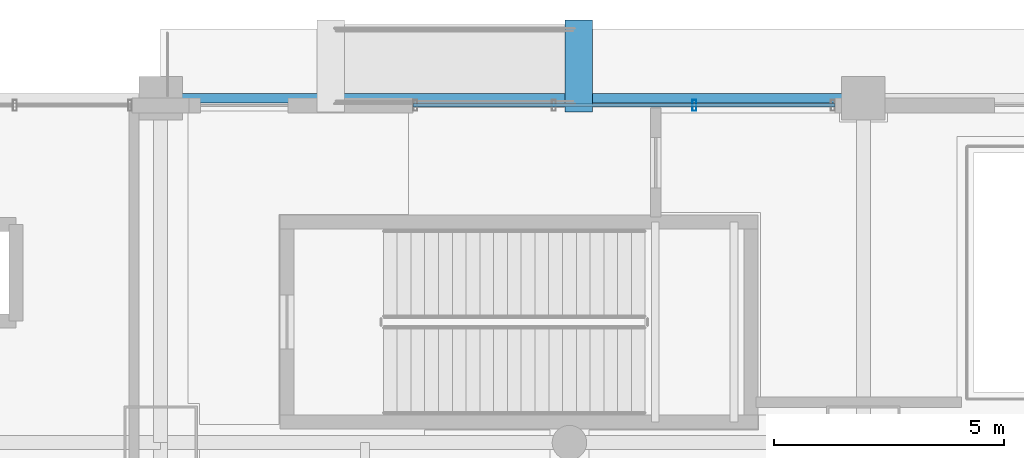
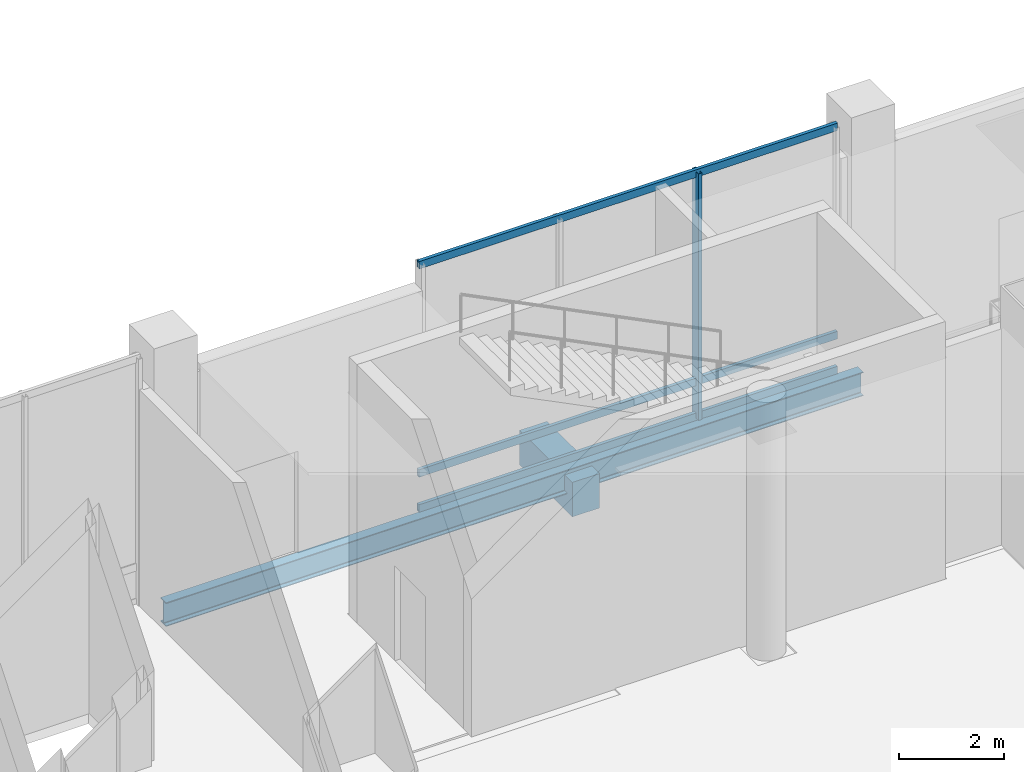
# One storey, part 9 of 32: 4 members, 2 beams, 1 element without a shape of its own.
"""IFC4 building model written with IfcOpenShell, lengths in metres."""

import ifcopenshell
import ifcopenshell.guid

model = None  # the IFC model being written
_history = None  # IfcOwnerHistory: only IFC2X3 demands one
_inside = {}  # id of a spatial element -> (the spatial element, [elements in it])
_under = {}  # id of a project, library or spatial element -> (it, [spatial elements below it])
_declared = {}  # id of a project -> (the project, [libraries it declares])
_typed = {}  # id of a type object -> (the type object, [elements of that type])
_made_of = {}  # id of a material, layer set ... -> (it, [elements and type objects made of it])


def new_model(schema):
    """Start an empty IFC model of exactly this schema.

    Asked for "IFC4X3", IfcOpenShell would pick the latest addendum, in which some entities
    have other attributes; the version numbers below select the first issue.
    IFC2X3 requires an IfcOwnerHistory on every rooted entity: one is made here for all.
    """
    global model, _history
    if schema == "IFC4X3":
        model = ifcopenshell.file(schema_version=(4, 3, 0, 0))
    else:
        model = ifcopenshell.file(schema=schema)
    _inside.clear()
    _under.clear()
    _declared.clear()
    _typed.clear()
    _made_of.clear()
    _history = None
    if model.schema == "IFC2X3":
        org = make("IfcOrganization", Name="unknown")
        user = make(
            "IfcPersonAndOrganization",
            ThePerson=make("IfcPerson", FamilyName="unknown"),
            TheOrganization=org,
        )
        app = make(
            "IfcApplication",
            ApplicationDeveloper=org,
            Version="unknown",
            ApplicationFullName="unknown",
            ApplicationIdentifier="unknown",
        )
        _history = make(
            "IfcOwnerHistory",
            OwningUser=user,
            OwningApplication=app,
            ChangeAction="ADDED",
            CreationDate=0,
        )
    return model


def make(cls, **values):
    """One entity of the class cls with the attributes given. An attribute that is None is left unset."""
    return model.create_entity(
        cls, **{name: value for name, value in values.items() if value is not None}
    )


def rooted(cls, **values):
    """An entity with a GlobalId (a new one), such as an element, a storey or a relation."""
    return make(cls, GlobalId=ifcopenshell.guid.new(), OwnerHistory=_history, **values)


def si_unit(unit_type, name, prefix=None):
    """IfcSIUnit, for example si_unit("LENGTHUNIT", "METRE", prefix="MILLI")."""
    return make("IfcSIUnit", UnitType=unit_type, Prefix=prefix, Name=name)


def assignment(units):
    """IfcUnitAssignment: the units of a project."""
    return None if units is None else make("IfcUnitAssignment", Units=units)


def point(xyz):
    """IfcCartesianPoint."""
    return None if xyz is None else make("IfcCartesianPoint", Coordinates=xyz)


def direction(xyz):
    """IfcDirection."""
    return None if xyz is None else make("IfcDirection", DirectionRatios=xyz)


def frame(location, z_axis=None, x_axis=None):
    """IfcAxis2Placement3D, a coordinate frame: its origin and axes. An axis left out is left unset."""
    return make(
        "IfcAxis2Placement3D",
        Location=point(location),
        Axis=direction(z_axis),
        RefDirection=direction(x_axis),
    )


def frame_2d(location, x_axis=None):
    """IfcAxis2Placement2D, a coordinate frame in the plane: its origin and x axis."""
    return make(
        "IfcAxis2Placement2D", Location=point(location), RefDirection=direction(x_axis)
    )


def origin():
    """The frame at (0, 0, 0) with its axes left unset."""
    return frame((0.0, 0.0, 0.0))


def origin_2d():
    """The frame at (0, 0) in the plane with its x axis left unset."""
    return frame_2d((0.0, 0.0))


def place(relative_to, where):
    """IfcLocalPlacement: puts the frame where relative to a parent placement (None: the world)."""
    return make(
        "IfcLocalPlacement", PlacementRelTo=relative_to, RelativePlacement=where
    )


def context(
    kind, dimensions, precision=None, world=None, true_north=None, identifier=None
):
    """IfcGeometricRepresentationContext, for example the 3D "Model" context."""
    return make(
        "IfcGeometricRepresentationContext",
        ContextIdentifier=identifier,
        ContextType=kind,
        CoordinateSpaceDimension=dimensions,
        Precision=precision,
        WorldCoordinateSystem=world,
        TrueNorth=true_north,
    )


def subcontext(parent, identifier, kind, view, scale=None):
    """IfcGeometricRepresentationSubContext, for example "Body" below "Model"."""
    return make(
        "IfcGeometricRepresentationSubContext",
        ContextIdentifier=identifier,
        ContextType=kind,
        ParentContext=parent,
        TargetScale=scale,
        TargetView=view,
    )


def project(units=None, contexts=None):
    """IfcProject with its units and contexts."""
    return rooted(
        "IfcProject",
        Name="project",
        RepresentationContexts=contexts,
        UnitsInContext=assignment(units),
    )


def spatial(cls, under=None, at=None, **own):
    """A site, building, storey or space (cls), placed at a placement, below another one or the project."""
    s = rooted(cls, ObjectPlacement=at, **own)
    if under is not None:
        _under.setdefault(under.id(), (under, []))[1].append(s)
    return s


def profile(cls, at=None, kind="AREA", **sizes):
    """A parametric profile (cls). Its sizes go by their IFC names, for example OverallWidth=200.0."""
    return make(cls, ProfileType=kind, Position=at, **sizes)


def rectangle(**sizes):
    """IfcRectangleProfileDef."""
    return profile("IfcRectangleProfileDef", **sizes)


def hollow_rectangle(**sizes):
    """IfcRectangleHollowProfileDef."""
    return profile("IfcRectangleHollowProfileDef", **sizes)


def i_section(**sizes):
    """IfcIShapeProfileDef."""
    return profile("IfcIShapeProfileDef", **sizes)


def extrude(swept, where, along, depth):
    """IfcExtrudedAreaSolid: the profile swept, set in the frame where, extruded along a direction by depth."""
    return make(
        "IfcExtrudedAreaSolid",
        SweptArea=swept,
        Position=where,
        ExtrudedDirection=direction(along),
        Depth=depth,
    )


def shape(context_of_items, identifier, shape_type, items):
    """IfcShapeRepresentation: the items that make up one representation, for example the "Body"."""
    return make(
        "IfcShapeRepresentation",
        ContextOfItems=context_of_items,
        RepresentationIdentifier=identifier,
        RepresentationType=shape_type,
        Items=items,
    )


def material(Name=None, Category=None):
    """IfcMaterial."""
    return make("IfcMaterial", Name=Name, Category=Category)


def material_profile(
    of_material, cross_section, Name=None, Category=None, Priority=None
):
    """IfcMaterialProfile: a cross section and its material."""
    return make(
        "IfcMaterialProfile",
        Name=Name,
        Material=of_material,
        Profile=cross_section,
        Priority=Priority,
        Category=Category,
    )


def profile_set(profiles, Name=None, composite=None):
    """IfcMaterialProfileSet."""
    return make(
        "IfcMaterialProfileSet",
        Name=Name,
        MaterialProfiles=profiles,
        CompositeProfile=composite,
    )


def made_of(thing, what):
    """Note that an element or type object is made of a material, layer set ...; save() writes the relation."""
    if what is not None:
        _made_of.setdefault(what.id(), (what, []))[1].append(thing)
    return thing


def type_object(cls, material=None, **own):
    """A type object (cls), such as IfcWallType, which elements share."""
    return made_of(rooted(cls, **own), material)


def element(
    cls,
    number,
    at=None,
    inside=None,
    cuts=None,
    type_object=None,
    material=None,
    context=None,
    identifier="Body",
    shape_type=None,
    held_by="IfcProductDefinitionShape",
    body=None,
    shapes=None,
    **own,
):
    """One element of the class cls, such as IfcWall. Its Tag is "e" and its number.

    at: its placement. inside: the storey or other place that contains it. cuts: it is an
    opening in that element (IfcRelVoidsElement). A single representation is given by context,
    identifier, shape_type and body (its items); several are given by shapes. held_by: the class
    of the entity that holds the representations. save() writes the other relations.
    """
    e = rooted(cls, Tag="e%d" % number, ObjectPlacement=at, **own)
    if body is not None:
        shapes = [shape(context, identifier, shape_type, body)]
    if shapes is not None:
        e.Representation = make(held_by, Representations=shapes)
    if inside is not None:
        _inside.setdefault(inside.id(), (inside, []))[1].append(e)
    if cuts is not None:
        rooted(
            "IfcRelVoidsElement", RelatingBuildingElement=cuts, RelatedOpeningElement=e
        )
    if type_object is not None:
        _typed.setdefault(type_object.id(), (type_object, []))[1].append(e)
    return made_of(e, material)


def aggregate(whole, parts):
    """IfcRelAggregates: a whole, such as a stair, and the parts it consists of."""
    return rooted("IfcRelAggregates", RelatingObject=whole, RelatedObjects=parts)


def save(model, path):
    """Write the relations noted so far, then the file.

    IfcRelAggregates (storeys below a building ...), IfcRelContainedInSpatialStructure (elements
    in a storey), IfcRelDefinesByType, IfcRelAssociatesMaterial and IfcRelDeclares: one each for
    every whole, place, type object, material and project.
    """
    for whole, parts in _under.values():
        aggregate(whole, parts)
    for where, things in _inside.values():
        rooted(
            "IfcRelContainedInSpatialStructure",
            RelatedElements=things,
            RelatingStructure=where,
        )
    for kind, things in _typed.values():
        rooted("IfcRelDefinesByType", RelatedObjects=things, RelatingType=kind)
    for what, things in _made_of.values():
        rooted("IfcRelAssociatesMaterial", RelatedObjects=things, RelatingMaterial=what)
    for by, libraries in _declared.values():
        rooted("IfcRelDeclares", RelatingContext=by, RelatedDefinitions=libraries)
    model.write(path)


model = new_model("IFC4")

# Units and contexts
model_context = context("Model", 3, precision=1e-05, world=origin(), true_north=direction((0.0, 1.0)))
body_context = subcontext(model_context, "Body", "Model", "MODEL_VIEW")
ifc_project = project(units=[si_unit("LENGTHUNIT", "METRE"), si_unit("AREAUNIT", "SQUARE_METRE"), si_unit("VOLUMEUNIT", "CUBIC_METRE"), si_unit("PLANEANGLEUNIT", "RADIAN"), si_unit("MASSUNIT", "GRAM", prefix="KILO")], contexts=[model_context])

# Site, building, storey
site_placement = place(None, origin())
site = spatial("IfcSite", under=ifc_project, at=site_placement, CompositionType="ELEMENT")
building_placement = place(site_placement, origin())
building = spatial("IfcBuilding", under=site, at=building_placement, Name="Punatoya Terracotta Tower", CompositionType="ELEMENT")
storey_placement = place(building_placement, origin())
storey = spatial("IfcBuildingStorey", under=building, at=storey_placement, Name="L00", CompositionType="ELEMENT", Elevation=0.0)

# Beams
ifc_material_1 = material(Name="Concrete C45/55", Category="concrete")
ifc_material_profile_1 = material_profile(ifc_material_1, rectangle(XDim=0.60009765625, YDim=0.800048828125, at=origin_2d()))
ifc_profile_set_1 = profile_set([ifc_material_profile_1], Name="Concrete C45/55")
beam_type_1 = type_object("IfcBeamType", Name="BM-RC-GRD", PredefinedType="BEAM", material=ifc_profile_set_1)
beam_1_placement = place(storey_placement, frame((-10.0, 24.699951171875, -0.85009765625), z_axis=(0.0, 1.0, 0.0), x_axis=(-1.0, 0.0, 0.0)))
element("IfcBeam", 1, at=beam_1_placement, inside=storey, type_object=beam_type_1, Name="GB-PR3-LO", PredefinedType="BEAM", context=body_context, shape_type="SweptSolid", body=[
    extrude(rectangle(XDim=0.60009765625, YDim=0.800048828125, at=origin_2d()), origin(), (0.0, 0.0, 1.0), 2.0),
])
ifc_material_2 = material(Name="Steel S355", Category="steel")
ifc_material_profile_2 = material_profile(ifc_material_2, i_section(OverallWidth=0.2099609375, OverallDepth=0.550048828125, WebThickness=0.010986328125, FlangeThickness=0.01708984375, FilletRadius=0.01806640625, at=origin_2d()))
ifc_profile_set_2 = profile_set([ifc_material_profile_2], Name="Steel S355")
beam_type_2 = type_object("IfcBeamType", Name="BM-SPN-550", PredefinedType="SPANDREL", material=ifc_profile_set_2)
beam_2_placement = place(storey_placement, frame((-19.10009765625, 25.0, -0.554931640625), z_axis=(1.0, 0.0, 0.0), x_axis=(0.0, 1.0, 0.0)))
element("IfcBeam", 2, at=beam_2_placement, inside=storey, type_object=beam_type_2, Name="BM-L00-MIDH-1", PredefinedType="SPANDREL", context=body_context, shape_type="SweptSolid", body=[
    extrude(i_section(OverallWidth=0.2099609375, OverallDepth=0.550048828125, WebThickness=0.010986328125, FlangeThickness=0.01708984375, FilletRadius=0.01806640625, at=origin_2d()), origin(), (0.0, 0.0, 1.0), 15.300048828125),
])

# Curtain wall, members
ifc_material_3 = material(Name="Aluminium 6063-T6 + Double Low-E Glass", Category="aluminium")
curtain_wall_type = type_object("IfcCurtainWallType", Name="CW-POD", PredefinedType="NOTDEFINED", material=ifc_material_3)
curtain_wall_placement = place(storey_placement, origin())
curtain_wall = element("IfcCurtainWall", 3, at=curtain_wall_placement, inside=storey, type_object=curtain_wall_type, Name="L00 Curtain Wall CWP-L00-N1B", PredefinedType="NOTDEFINED")
ifc_material_4 = material(Name="Aluminium 6063-T6", Category="aluminium")
ifc_material_profile_3 = material_profile(ifc_material_4, hollow_rectangle(XDim=0.0849609375, YDim=0.239990234375, WallThickness=0.0048828125, at=origin_2d()))
ifc_profile_set_3 = profile_set([ifc_material_profile_3], Name="Aluminium 6063-T6")
member_type_1 = type_object("IfcMemberType", Name="CW-MUL-POD", PredefinedType="MULLION", material=ifc_profile_set_3)
member_1_placement = place(storey_placement, frame((-7.47998046875, 24.840087890625, 0.0), z_axis=(0.0, 0.0, 1.0), x_axis=(1.0, 0.0, 0.0)))
member_1 = element("IfcMember", 4, at=member_1_placement, type_object=member_type_1, Name="CWP-L00-N1B Mullion 02", PredefinedType="MULLION", context=body_context, shape_type="SweptSolid", body=[
    extrude(hollow_rectangle(XDim=0.0849609375, YDim=0.239990234375, WallThickness=0.0048828125, at=origin_2d()), origin(), (0.0, 0.0, 1.0), 5.719970703125),
])
ifc_material_profile_4 = material_profile(ifc_material_4, hollow_rectangle(XDim=0.074951171875, YDim=0.175048828125, WallThickness=0.00439453125, at=origin_2d()))
ifc_profile_set_4 = profile_set([ifc_material_profile_4], Name="Aluminium 6063-T6")
member_type_2 = type_object("IfcMemberType", Name="CW-TRN-POD", PredefinedType="USERDEFINED", material=ifc_profile_set_4)
member_2_placement = place(storey_placement, frame((-13.60009765625, 24.840087890625, 0.0400390625), z_axis=(1.0, 0.0, 0.0), x_axis=(0.0, 1.0, 0.0)))
member_2 = element("IfcMember", 5, at=member_2_placement, type_object=member_type_2, Name="CWP-L00-N1B Transom 1", ObjectType="TRANSOM", PredefinedType="USERDEFINED", context=body_context, shape_type="SweptSolid", body=[
    extrude(hollow_rectangle(XDim=0.074951171875, YDim=0.175048828125, WallThickness=0.00439453125, at=origin_2d()), origin(), (0.0, 0.0, 1.0), 9.18017578125),
])
member_3_placement = place(storey_placement, frame((-13.60009765625, 24.840087890625, 0.85009765625), z_axis=(1.0, 0.0, 0.0), x_axis=(0.0, 1.0, 0.0)))
member_3 = element("IfcMember", 6, at=member_3_placement, type_object=member_type_2, Name="CWP-L00-N1B Transom 2", ObjectType="TRANSOM", PredefinedType="USERDEFINED", context=body_context, shape_type="SweptSolid", body=[
    extrude(hollow_rectangle(XDim=0.074951171875, YDim=0.175048828125, WallThickness=0.00439453125, at=origin_2d()), origin(), (0.0, 0.0, 1.0), 9.18017578125),
])
member_4_placement = place(storey_placement, frame((-13.60009765625, 24.840087890625, 5.679931640625), z_axis=(1.0, 0.0, 0.0), x_axis=(0.0, 1.0, 0.0)))
member_4 = element("IfcMember", 7, at=member_4_placement, type_object=member_type_2, Name="CWP-L00-N1B Transom 3", ObjectType="TRANSOM", PredefinedType="USERDEFINED", context=body_context, shape_type="SweptSolid", body=[
    extrude(hollow_rectangle(XDim=0.074951171875, YDim=0.175048828125, WallThickness=0.00439453125, at=origin_2d()), origin(), (0.0, 0.0, 1.0), 9.18017578125),
])
aggregate(curtain_wall, [member_1, member_2, member_3, member_4])

save(model, "model.ifc")
